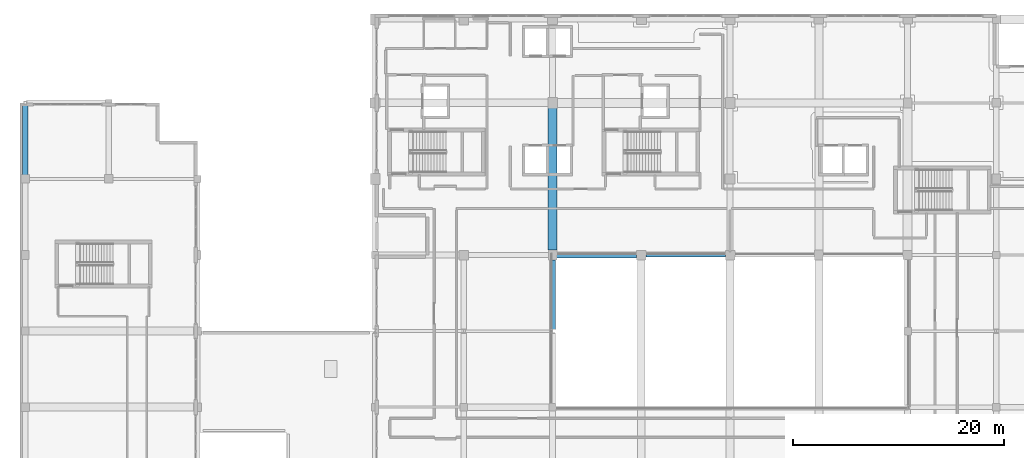
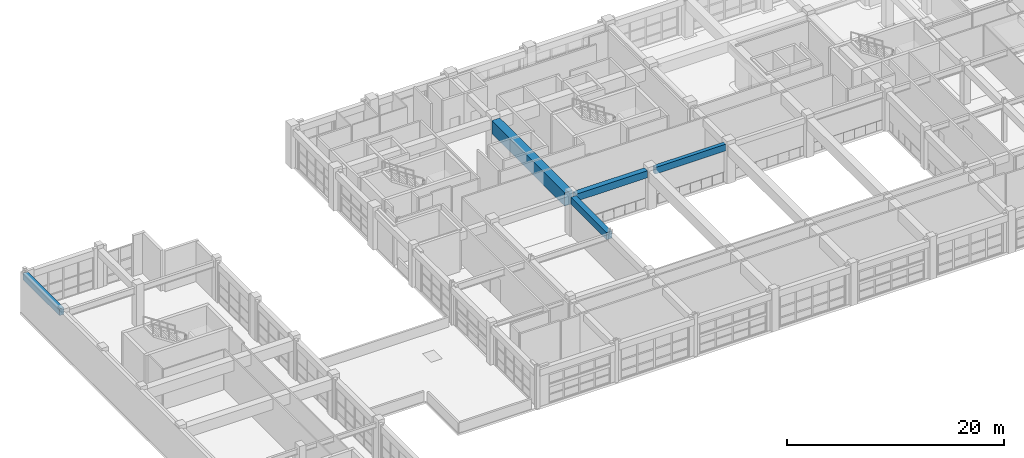
# One storey, part 41 of 123: 5 beams.
"""IFC4 building model written with IfcOpenShell, lengths in metres."""

from ifc_helpers import new_model, si_unit, direction, frame, origin, origin_2d, place, context, subcontext, project, spatial, rectangle, extrude, material, material_profile, profile_set, type_object, element, save


model = new_model("IFC4")

# Units and contexts
model_context = context("Model", 3, precision=1e-05, world=origin(), true_north=direction((0.0, 1.0)))
body_context = subcontext(model_context, "Body", "Model", "MODEL_VIEW")
ifc_project = project(units=[si_unit("LENGTHUNIT", "METRE"), si_unit("AREAUNIT", "SQUARE_METRE"), si_unit("VOLUMEUNIT", "CUBIC_METRE"), si_unit("PLANEANGLEUNIT", "RADIAN"), si_unit("MASSUNIT", "GRAM", prefix="KILO")], contexts=[model_context])

# Site, building, storey
site_placement = place(None, origin())
site = spatial("IfcSite", under=ifc_project, at=site_placement, CompositionType="ELEMENT")
building_placement = place(site_placement, origin())
building = spatial("IfcBuilding", under=site, at=building_placement, Name="Quendrovan Civic Courthouse", CompositionType="ELEMENT")
storey_placement = place(building_placement, frame((0.0, 0.0, 5.39990234375)))
storey = spatial("IfcBuildingStorey", under=building, at=storey_placement, Name="L02", CompositionType="ELEMENT", Elevation=5.39990234375)

# Beams
ifc_material_1 = material(Name="Concrete C40/50", Category="concrete")
ifc_material_profile_1 = material_profile(ifc_material_1, rectangle(XDim=0.5, YDim=0.75, at=origin_2d()), Name="RC-BM-500x750")
ifc_profile_set_1 = profile_set([ifc_material_profile_1], Name="Concrete C40/50")
beam_type_1 = type_object("IfcBeamType", Name="BM-RC750", PredefinedType="SPANDREL", material=ifc_profile_set_1)
beam_1_placement = place(storey_placement, frame((0.5, 95.179931640625, 3.985107421875), z_axis=(0.0, 1.0, 0.0), x_axis=(-1.0, 0.0, 0.0)))
element("IfcBeam", 1, at=beam_1_placement, inside=storey, type_object=beam_type_1, Name="L02 Girder Y0617", PredefinedType="SPANDREL", context=body_context, shape_type="SweptSolid", body=[
    extrude(rectangle(XDim=0.5, YDim=0.75, at=origin_2d()), origin(), (0.0, 0.0, 1.0), 6.690185546875),
])
ifc_material_profile_2 = material_profile(ifc_material_1, rectangle(XDim=0.39990234375, YDim=0.75, at=origin_2d()), Name="RC-BM-400x750")
ifc_profile_set_2 = profile_set([ifc_material_profile_2], Name="Concrete C40/50")
beam_type_2 = type_object("IfcBeamType", Name="BM-RC750B", PredefinedType="BEAM", material=ifc_profile_set_2)
beam_2_placement = place(storey_placement, frame((59.22998046875, 87.60009765625, 3.985107421875), z_axis=(1.0, 0.0, 0.0), x_axis=(0.0, 1.0, 0.0)))
element("IfcBeam", 2, at=beam_2_placement, inside=storey, type_object=beam_type_2, Name="L02 Girder X0554", PredefinedType="BEAM", context=body_context, shape_type="SweptSolid", body=[
    extrude(rectangle(XDim=0.39990234375, YDim=0.75, at=origin_2d()), origin(), (0.0, 0.0, 1.0), 7.5400390625),
])
ifc_material_profile_3 = material_profile(ifc_material_1, rectangle(XDim=0.550048828125, YDim=0.800048828125, at=origin_2d()), Name="RC-BM-550x800")
ifc_profile_set_3 = profile_set([ifc_material_profile_3], Name="Concrete C40/50")
beam_type_3 = type_object("IfcBeamType", Name="BM-RC800", PredefinedType="BEAM", material=ifc_profile_set_3)
beam_3_placement = place(storey_placement, frame((50.780029296875, 87.60009765625, 3.960205078125), z_axis=(1.0, 0.0, 0.0), x_axis=(0.0, 1.0, 0.0)))
element("IfcBeam", 3, at=beam_3_placement, inside=storey, type_object=beam_type_3, Name="L02 Girder X0553", PredefinedType="BEAM", context=body_context, shape_type="SweptSolid", body=[
    extrude(rectangle(XDim=0.550048828125, YDim=0.800048828125, at=origin_2d()), origin(), (0.0, 0.0, 1.0), 7.590087890625),
])
beam_4_placement = place(storey_placement, frame((50.39990234375, 80.56591796875, 3.960205078125), z_axis=(0.0, 1.0, 0.0), x_axis=(-1.0, 0.0, 0.0)))
element("IfcBeam", 4, at=beam_4_placement, inside=storey, type_object=beam_type_3, Name="L02 Girder Y0652", PredefinedType="BEAM", context=body_context, shape_type="SweptSolid", body=[
    extrude(rectangle(XDim=0.550048828125, YDim=0.800048828125, at=origin_2d()), origin(), (0.0, 0.0, 1.0), 6.5791015625),
])
ifc_material_2 = material(Name="Concrete C45/55", Category="concrete")
ifc_material_profile_4 = material_profile(ifc_material_2, rectangle(XDim=0.85009765625, YDim=1.5, at=origin_2d()), Name="RC-TG-850x1500")
ifc_profile_set_4 = profile_set([ifc_material_profile_4], Name="Concrete C45/55")
beam_type_4 = type_object("IfcBeamType", Name="BM-TG1500", PredefinedType="BEAM", material=ifc_profile_set_4)
beam_5_placement = place(storey_placement, frame((50.39990234375, 88.054931640625, 3.610107421875), z_axis=(0.0, 1.0, 0.0), x_axis=(-1.0, 0.0, 0.0)))
element("IfcBeam", 5, at=beam_5_placement, inside=storey, type_object=beam_type_4, Name="L02 Girder Y0653", PredefinedType="BEAM", context=body_context, shape_type="SweptSolid", body=[
    extrude(rectangle(XDim=0.85009765625, YDim=1.5, at=origin_2d()), origin(), (0.0, 0.0, 1.0), 13.440185546875),
])

save(model, "model.ifc")
